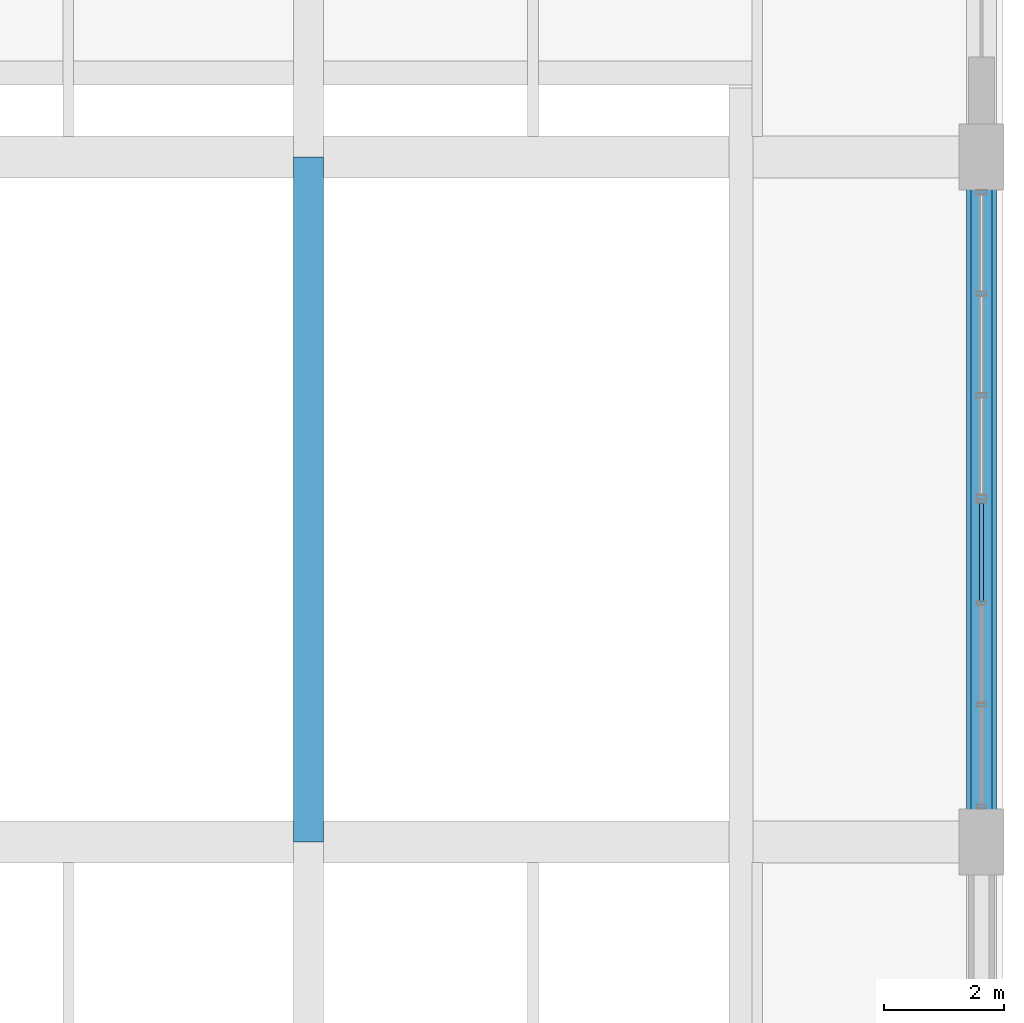
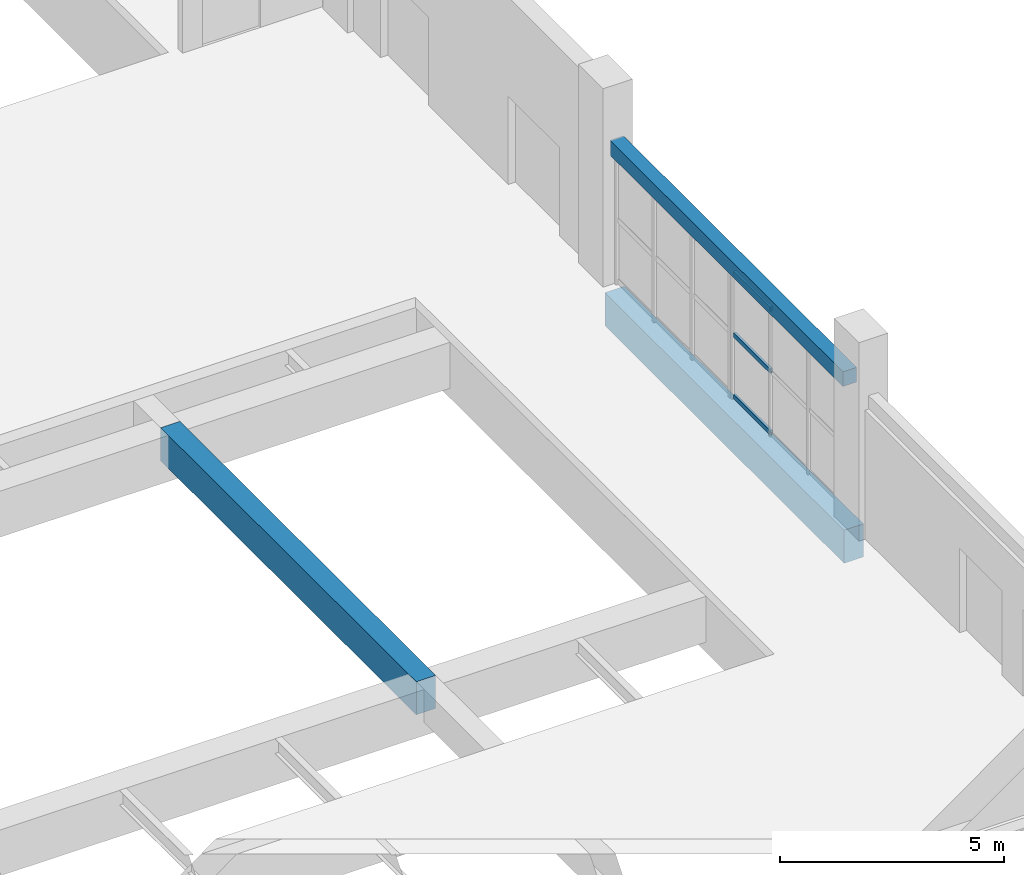
# One storey, part 59 of 113: 3 beams, 3 members, 1 element without a shape of its own.
"""IFC4 building model written with IfcOpenShell, lengths in metres."""

from ifc_helpers import new_model, si_unit, direction, frame, origin, origin_2d, place, context, subcontext, project, spatial, rectangle, hollow_rectangle, extrude, material, layer, layer_set, material_profile, profile_set, type_object, element, aggregate, save


model = new_model("IFC4")

# Units and contexts
model_context = context("Model", 3, precision=1e-05, world=origin(), true_north=direction((0.0, 1.0)))
body_context = subcontext(model_context, "Body", "Model", "MODEL_VIEW")
ifc_project = project(units=[si_unit("LENGTHUNIT", "METRE"), si_unit("AREAUNIT", "SQUARE_METRE"), si_unit("VOLUMEUNIT", "CUBIC_METRE"), si_unit("PLANEANGLEUNIT", "RADIAN"), si_unit("MASSUNIT", "GRAM", prefix="KILO"), si_unit("POWERUNIT", "WATT"), si_unit("THERMODYNAMICTEMPERATUREUNIT", "KELVIN")], contexts=[model_context])

# Site, building, storey
site_placement = place(None, origin())
site = spatial("IfcSite", under=ifc_project, at=site_placement, CompositionType="ELEMENT")
building_placement = place(site_placement, origin())
building = spatial("IfcBuilding", under=site, at=building_placement, Name="Kelmbourne Parkland Aquatics Centre", CompositionType="ELEMENT")
storey_placement = place(building_placement, origin())
storey = spatial("IfcBuildingStorey", under=building, at=storey_placement, Name="L00", CompositionType="ELEMENT", Elevation=0.0)

# Beams
ifc_material_1 = material(Name="Concrete C40/50", Category="concrete")
ifc_material_profile_1 = material_profile(ifc_material_1, rectangle(XDim=0.5, YDim=0.89990234375, at=origin_2d()), Name="RC 500x900")
ifc_profile_set_1 = profile_set([ifc_material_profile_1], Name="Concrete C40/50")
beam_type_1 = type_object("IfcBeamType", Name="BM-G03", PredefinedType="BEAM", material=ifc_profile_set_1)
beam_1_placement = place(storey_placement, frame((164.0, 12.199951171875, -0.72998046875), z_axis=(0.0, 1.0, 0.0), x_axis=(-1.0, 0.0, 0.0)))
element("IfcBeam", 1, at=beam_1_placement, inside=storey, type_object=beam_type_1, Name="Primary girder 03-04 Grid S (L00)", PredefinedType="BEAM", context=body_context, shape_type="SweptSolid", body=[
    extrude(rectangle(XDim=0.5, YDim=0.89990234375, at=origin_2d()), origin(), (0.0, 0.0, 1.0), 11.400146484375),
])
beam_2_placement = place(storey_placement, frame((175.199951171875, 12.530029296875, -0.72998046875), z_axis=(0.0, 1.0, 0.0), x_axis=(-1.0, 0.0, 0.0)))
element("IfcBeam", 2, at=beam_2_placement, inside=storey, type_object=beam_type_1, Name="Primary girder 03-04 Grid T (L00)", PredefinedType="BEAM", context=body_context, shape_type="SweptSolid", body=[
    extrude(rectangle(XDim=0.5, YDim=0.89990234375, at=origin_2d()), origin(), (0.0, 0.0, 1.0), 10.6650390625),
])
ifc_material_2 = material(Name="Structural steel AS/NZS 3679.1 Grade 300", Category="steel")
ifc_material_profile_2 = material_profile(ifc_material_2, rectangle(XDim=0.35009765625, YDim=0.39990234375, at=origin_2d()), Name="LNT 350x400")
ifc_profile_set_2 = profile_set([ifc_material_profile_2], Name="Structural steel AS/NZS 3679.1 Grade 300")
beam_type_2 = type_object("IfcBeamType", Name="BM-LN02", PredefinedType="LINTEL", material=ifc_profile_set_2)
beam_3_placement = place(storey_placement, frame((175.199951171875, 12.705078125, 3.699951171875), z_axis=(0.0, 1.0, 0.0), x_axis=(-1.0, 0.0, 0.0)))
element("IfcBeam", 3, at=beam_3_placement, inside=storey, type_object=beam_type_2, Name="Masonry opening lintel E-05", PredefinedType="LINTEL", context=body_context, shape_type="SweptSolid", body=[
    extrude(rectangle(XDim=0.35009765625, YDim=0.39990234375, at=origin_2d()), origin(), (0.0, 0.0, 1.0), 10.389892578125),
])

# Curtain wall, members
ifc_material_3 = material(Name="Thermally broken anodised aluminium framing", Category="aluminium")
ifc_layer = layer(ifc_material_3, 0.179931640625)
ifc_layer_set = layer_set([ifc_layer], Name="Thermally broken anodised aluminium framing")
curtain_wall_type = type_object("IfcCurtainWallType", Name="CW-15", PredefinedType="NOTDEFINED", material=ifc_layer_set)
curtain_wall_placement = place(storey_placement, origin())
curtain_wall = element("IfcCurtainWall", 4, at=curtain_wall_placement, inside=storey, type_object=curtain_wall_type, Name="Facade curtain wall CW-L00-015", PredefinedType="NOTDEFINED")
ifc_material_profile_3 = material_profile(ifc_material_3, hollow_rectangle(XDim=0.06494140625, YDim=0.1201171875, WallThickness=0.00341796875, at=origin_2d()), Name="CW-T 65x120")
ifc_profile_set_3 = profile_set([ifc_material_profile_3], Name="Thermally broken anodised aluminium framing")
member_type = type_object("IfcMemberType", Name="MB-TRN-1", PredefinedType="USERDEFINED", material=ifc_profile_set_3)
member_1_placement = place(storey_placement, frame((175.199951171875, 16.20166015625, 0.06298828125), z_axis=(0.0, 1.0, 0.0), x_axis=(-1.0, 0.0, 0.0)))
member_1 = element("IfcMember", 5, at=member_1_placement, type_object=member_type, Name="CW-L00-015 transom 0-2", ObjectType="TRANSOM", PredefinedType="USERDEFINED", context=body_context, shape_type="SweptSolid", body=[
    extrude(hollow_rectangle(XDim=0.06494140625, YDim=0.1201171875, WallThickness=0.00341796875, at=origin_2d()), origin(), (0.0, 0.0, 1.0), 1.637451171875),
])
member_2_placement = place(storey_placement, frame((175.199951171875, 16.20166015625, 1.742431640625), z_axis=(0.0, 1.0, 0.0), x_axis=(-1.0, 0.0, 0.0)))
member_2 = element("IfcMember", 6, at=member_2_placement, type_object=member_type, Name="CW-L00-015 transom 1-2", ObjectType="TRANSOM", PredefinedType="USERDEFINED", context=body_context, shape_type="SweptSolid", body=[
    extrude(hollow_rectangle(XDim=0.06494140625, YDim=0.1201171875, WallThickness=0.00341796875, at=origin_2d()), origin(), (0.0, 0.0, 1.0), 1.637451171875),
])
member_3_placement = place(storey_placement, frame((175.199951171875, 16.20166015625, 3.422119140625), z_axis=(0.0, 1.0, 0.0), x_axis=(-1.0, 0.0, 0.0)))
member_3 = element("IfcMember", 7, at=member_3_placement, type_object=member_type, Name="CW-L00-015 transom 2-2", ObjectType="TRANSOM", PredefinedType="USERDEFINED", context=body_context, shape_type="SweptSolid", body=[
    extrude(hollow_rectangle(XDim=0.06494140625, YDim=0.1201171875, WallThickness=0.00341796875, at=origin_2d()), origin(), (0.0, 0.0, 1.0), 1.637451171875),
])
aggregate(curtain_wall, [member_1, member_2, member_3])

save(model, "model.ifc")
